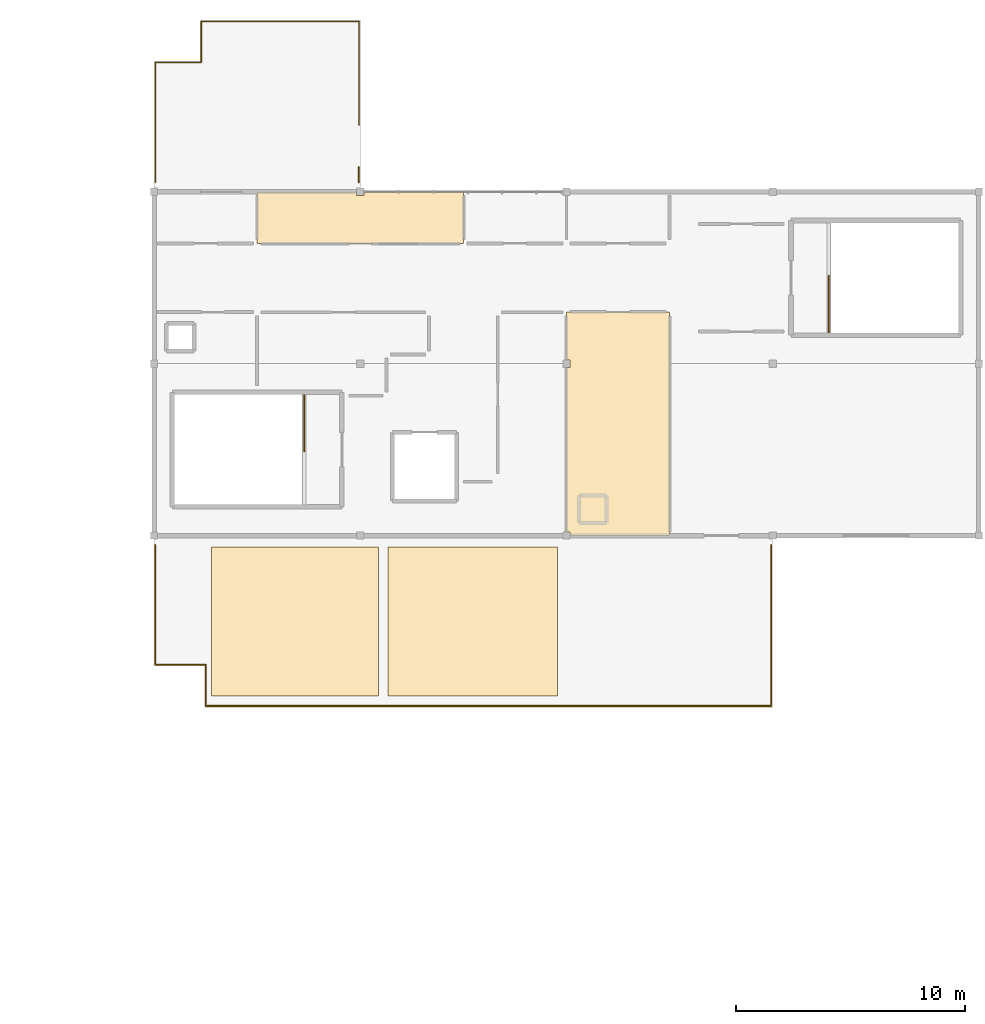
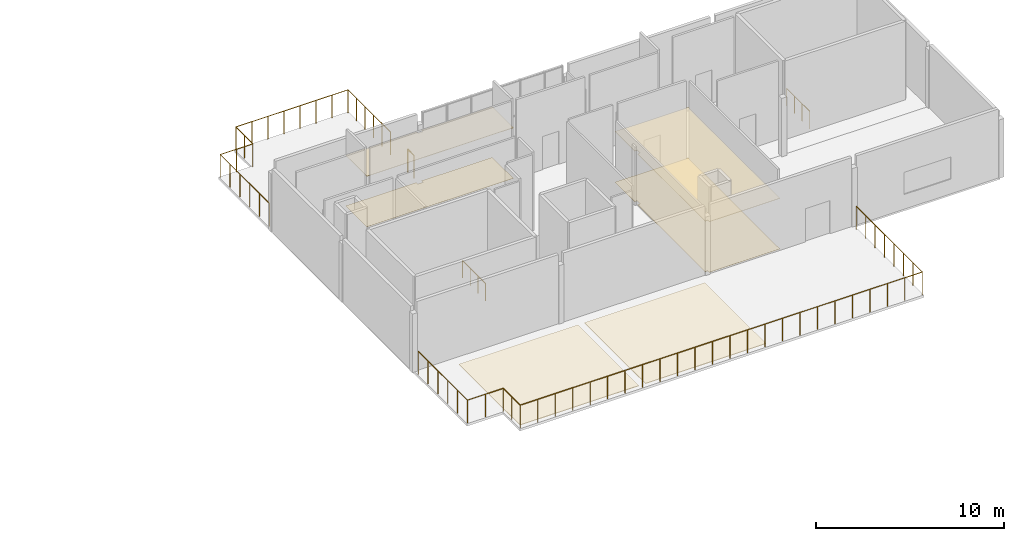
# One storey, part 8 of 8: 6 coverings, 5 railings.
"""IFC4 building model written with IfcOpenShell, lengths in metres."""

from ifc_helpers import new_model, si_unit, direction, frame, origin, origin_2d, place, context, subcontext, project, spatial, polyline, circle, outline, extrude, material, layer, layer_set, type_object, element, save


model = new_model("IFC4")

# Units and contexts
model_context = context("Model", 3, precision=1e-05, world=origin(), true_north=direction((0.0, 1.0)))
body_context = subcontext(model_context, "Body", "Model", "MODEL_VIEW")
ifc_project = project(units=[si_unit("LENGTHUNIT", "METRE"), si_unit("AREAUNIT", "SQUARE_METRE"), si_unit("VOLUMEUNIT", "CUBIC_METRE"), si_unit("PLANEANGLEUNIT", "RADIAN"), si_unit("MASSUNIT", "GRAM", prefix="KILO")], contexts=[model_context])

# Site, building, storey
site_placement = place(None, origin())
site = spatial("IfcSite", under=ifc_project, at=site_placement, CompositionType="ELEMENT")
building_placement = place(site_placement, origin())
building = spatial("IfcBuilding", under=site, at=building_placement, Name="Marnridge Secondary College", CompositionType="ELEMENT")
storey_placement = place(building_placement, frame((0.0, 0.0, 19.89990234375)))
storey = spatial("IfcBuildingStorey", under=building, at=storey_placement, Name="L05", CompositionType="ELEMENT", Elevation=19.89990234375)

# Coverings
ifc_material_1 = material(Name="Perforated acoustic mineral-fibre ceiling tile", Category="gypsum")
ifc_layer_1 = layer(ifc_material_1, 0.02490234375)
ifc_layer_set_1 = layer_set([ifc_layer_1], Name="CV-CEIL-AC")
covering_type_1 = type_object("IfcCoveringType", Name="CV-CEIL-AC", PredefinedType="CEILING", material=ifc_layer_set_1)
covering_1_placement = place(storey_placement, frame((0.0, 0.0, 3.275146484375)))
element("IfcCovering", 1, at=covering_1_placement, inside=storey, type_object=covering_type_1, Name="Acoustic ceiling CVC-009", PredefinedType="CEILING", context=body_context, shape_type="SweptSolid", body=[
    extrude(outline(polyline([(72.157470703125, 52.657470703125), (72.001953125, 52.657470703125), (72.001953125, 59.842529296875), (72.157470703125, 59.842529296875), (72.157470703125, 60.157470703125), (72.001953125, 60.157470703125), (72.001953125, 62.248046875), (76.498046875, 62.248046875), (76.498046875, 52.501953125), (72.157470703125, 52.501953125), (72.157470703125, 52.657470703125)])), origin(), (0.0, 0.0, 1.0), 0.02490234375),
])
covering_2_placement = place(storey_placement, frame((0.0, 0.0, 3.275146484375)))
element("IfcCovering", 2, at=covering_2_placement, inside=storey, type_object=covering_type_1, Name="Acoustic ceiling CVC-010", PredefinedType="CEILING", context=body_context, shape_type="SweptSolid", body=[
    extrude(outline(polyline([(67.498046875, 65.251953125), (58.501953125, 65.251953125), (58.501953125, 67.498046875), (62.842529296875, 67.498046875), (62.842529296875, 67.342529296875), (63.157470703125, 67.342529296875), (63.157470703125, 67.498046875), (67.498046875, 67.498046875), (67.498046875, 65.251953125)])), origin(), (0.0, 0.0, 1.0), 0.02490234375),
])
ifc_material_2 = material(Name="Charred jarrah acoustic soffit cladding", Category="wood")
ifc_layer_2 = layer(ifc_material_2, 0.034912109375)
ifc_layer_set_2 = layer_set([ifc_layer_2], Name="CV-CLAD-TIM")
covering_type_2 = type_object("IfcCoveringType", Name="CV-CLAD-TIM", PredefinedType="CLADDING", material=ifc_layer_set_2)
covering_3_placement = place(storey_placement, frame((0.0, 0.0, -0.19482421875)))
element("IfcCovering", 3, at=covering_3_placement, inside=storey, type_object=covering_type_2, Name="Timber soffit cladding CVL-07", PredefinedType="CLADDING", context=body_context, shape_type="SweptSolid", body=[
    extrude(outline(polyline([(56.5, 45.5), (63.800048828125, 45.5), (63.800048828125, 52.0), (56.5, 52.0), (56.5, 45.5)])), origin(), (0.0, 0.0, 1.0), 0.034912109375),
])
covering_4_placement = place(storey_placement, frame((0.0, 0.0, -0.19482421875)))
element("IfcCovering", 4, at=covering_4_placement, inside=storey, type_object=covering_type_2, Name="Timber soffit cladding CVL-08", PredefinedType="CLADDING", context=body_context, shape_type="SweptSolid", body=[
    extrude(outline(polyline([(64.199951171875, 45.5), (71.60009765625, 45.5), (71.60009765625, 52.0), (64.199951171875, 52.0), (64.199951171875, 45.5)])), origin(), (0.0, 0.0, 1.0), 0.034912109375),
])
ifc_material_3 = material(Name="Acoustic natural linoleum classroom flooring", Category="wood")
ifc_layer_3 = layer(ifc_material_3, 0.011962890625)
ifc_layer_set_3 = layer_set([ifc_layer_3], Name="CV-FLR-LINO")
covering_type_3 = type_object("IfcCoveringType", Name="CV-FLR-LINO", PredefinedType="FLOORING", material=ifc_layer_set_3)
covering_5_placement = place(storey_placement, origin())
element("IfcCovering", 5, at=covering_5_placement, inside=storey, type_object=covering_type_3, Name="Linoleum flooring CVF-009", PredefinedType="FLOORING", context=body_context, shape_type="SweptSolid", body=[
    extrude(outline(polyline([(72.157470703125, 52.657470703125), (72.001953125, 52.657470703125), (72.001953125, 59.842529296875), (72.157470703125, 59.842529296875), (72.157470703125, 60.157470703125), (72.001953125, 60.157470703125), (72.001953125, 62.248046875), (76.498046875, 62.248046875), (76.498046875, 52.501953125), (72.157470703125, 52.501953125), (72.157470703125, 52.657470703125)])), origin(), (0.0, 0.0, 1.0), 0.01220703125),
])
covering_6_placement = place(storey_placement, origin())
element("IfcCovering", 6, at=covering_6_placement, inside=storey, type_object=covering_type_3, Name="Linoleum flooring CVF-010", PredefinedType="FLOORING", context=body_context, shape_type="SweptSolid", body=[
    extrude(outline(polyline([(67.498046875, 65.251953125), (58.501953125, 65.251953125), (58.501953125, 67.498046875), (62.842529296875, 67.498046875), (62.842529296875, 67.342529296875), (63.157470703125, 67.342529296875), (63.157470703125, 67.498046875), (67.498046875, 67.498046875), (67.498046875, 65.251953125)])), origin(), (0.0, 0.0, 1.0), 0.01220703125),
])

# Railings
ifc_material_4 = material(Name="Galvanised steel Grade C350L0 (350 MPa) balustrade", Category="steel")
railing_type_1 = type_object("IfcRailingType", Name="RL-DECK-1500", PredefinedType="BALUSTRADE", material=ifc_material_4)
railing_1_placement = place(storey_placement, frame((80.93994140625, 52.084716796875, 0.0)))
element("IfcRailing", 7, at=railing_1_placement, inside=storey, type_object=railing_type_1, Name="Play deck balustrade GD-017", PredefinedType="BALUSTRADE", context=body_context, shape_type="SweptSolid", body=[
    extrude(circle(Radius=0.02392578125, at=origin_2d()), frame((0.0, 0.0, 1.47607421875), z_axis=(0.0, -1.0, 0.0), x_axis=(1.0, 0.0, 0.0)), (0.0, 0.0, 1.0), 7.024658203125),
    extrude(circle(Radius=0.02392578125, at=origin_2d()), frame((0.0, -7.024658203125, 1.47607421875), z_axis=(-1.0, 0.0, 0.0), x_axis=(0.0, -1.0, 0.0)), (0.0, 0.0, 1.0), 24.679931640625),
    extrude(circle(Radius=0.02392578125, at=origin_2d()), frame((-24.679931640625, -7.024658203125, 1.47607421875), z_axis=(0.0, 1.0, 0.0), x_axis=(-1.0, 0.0, 0.0)), (0.0, 0.0, 1.0), 1.800048828125),
    extrude(circle(Radius=0.02392578125, at=origin_2d()), frame((-24.679931640625, -5.224609375, 1.47607421875), z_axis=(-1.0, 0.0, 0.0), x_axis=(0.0, -1.0, 0.0)), (0.0, 0.0, 1.0), 2.199951171875),
    extrude(circle(Radius=0.02392578125, at=origin_2d()), frame((-26.8798828125, -5.224609375, 1.47607421875), z_axis=(0.0, 1.0, 0.0), x_axis=(-1.0, 0.0, 0.0)), (0.0, 0.0, 1.0), 5.224609375),
    extrude(circle(Radius=0.02099609375, at=origin_2d()), origin(), (0.0, 0.0, 1.0), 1.451904296875),
    extrude(circle(Radius=0.02099609375, at=origin_2d()), frame((0.0, -1.00341796875, 0.0)), (0.0, 0.0, 1.0), 1.451904296875),
    extrude(circle(Radius=0.02099609375, at=origin_2d()), frame((0.0, -2.007080078125, 0.0)), (0.0, 0.0, 1.0), 1.451904296875),
    extrude(circle(Radius=0.02099609375, at=origin_2d()), frame((0.0, -3.010498046875, 0.0)), (0.0, 0.0, 1.0), 1.451904296875),
    extrude(circle(Radius=0.02099609375, at=origin_2d()), frame((0.0, -4.01416015625, 0.0)), (0.0, 0.0, 1.0), 1.451904296875),
    extrude(circle(Radius=0.02099609375, at=origin_2d()), frame((0.0, -5.017578125, 0.0)), (0.0, 0.0, 1.0), 1.451904296875),
    extrude(circle(Radius=0.02099609375, at=origin_2d()), frame((0.0, -6.021240234375, 0.0)), (0.0, 0.0, 1.0), 1.451904296875),
    extrude(circle(Radius=0.02099609375, at=origin_2d()), frame((0.0, -7.024658203125, 0.0)), (0.0, 0.0, 1.0), 1.451904296875),
    extrude(circle(Radius=0.02099609375, at=origin_2d()), frame((-1.072998046875, -7.024658203125, 0.0)), (0.0, 0.0, 1.0), 1.451904296875),
    extrude(circle(Radius=0.02099609375, at=origin_2d()), frame((-2.14599609375, -7.024658203125, 0.0)), (0.0, 0.0, 1.0), 1.451904296875),
    extrude(circle(Radius=0.02099609375, at=origin_2d()), frame((-3.21923828125, -7.024658203125, 0.0)), (0.0, 0.0, 1.0), 1.451904296875),
    extrude(circle(Radius=0.02099609375, at=origin_2d()), frame((-4.292236328125, -7.024658203125, 0.0)), (0.0, 0.0, 1.0), 1.451904296875),
    extrude(circle(Radius=0.02099609375, at=origin_2d()), frame((-5.365234375, -7.024658203125, 0.0)), (0.0, 0.0, 1.0), 1.451904296875),
    extrude(circle(Radius=0.02099609375, at=origin_2d()), frame((-6.438232421875, -7.024658203125, 0.0)), (0.0, 0.0, 1.0), 1.451904296875),
    extrude(circle(Radius=0.02099609375, at=origin_2d()), frame((-7.51123046875, -7.024658203125, 0.0)), (0.0, 0.0, 1.0), 1.451904296875),
    extrude(circle(Radius=0.02099609375, at=origin_2d()), frame((-8.584228515625, -7.024658203125, 0.0)), (0.0, 0.0, 1.0), 1.451904296875),
    extrude(circle(Radius=0.02099609375, at=origin_2d()), frame((-9.657470703125, -7.024658203125, 0.0)), (0.0, 0.0, 1.0), 1.451904296875),
    extrude(circle(Radius=0.02099609375, at=origin_2d()), frame((-10.73046875, -7.024658203125, 0.0)), (0.0, 0.0, 1.0), 1.451904296875),
    extrude(circle(Radius=0.02099609375, at=origin_2d()), frame((-11.803466796875, -7.024658203125, 0.0)), (0.0, 0.0, 1.0), 1.451904296875),
    extrude(circle(Radius=0.02099609375, at=origin_2d()), frame((-12.87646484375, -7.024658203125, 0.0)), (0.0, 0.0, 1.0), 1.451904296875),
    extrude(circle(Radius=0.02099609375, at=origin_2d()), frame((-13.949462890625, -7.024658203125, 0.0)), (0.0, 0.0, 1.0), 1.451904296875),
    extrude(circle(Radius=0.02099609375, at=origin_2d()), frame((-15.0224609375, -7.024658203125, 0.0)), (0.0, 0.0, 1.0), 1.451904296875),
    extrude(circle(Radius=0.02099609375, at=origin_2d()), frame((-16.095703125, -7.024658203125, 0.0)), (0.0, 0.0, 1.0), 1.451904296875),
    extrude(circle(Radius=0.02099609375, at=origin_2d()), frame((-17.168701171875, -7.024658203125, 0.0)), (0.0, 0.0, 1.0), 1.451904296875),
    extrude(circle(Radius=0.02099609375, at=origin_2d()), frame((-18.24169921875, -7.024658203125, 0.0)), (0.0, 0.0, 1.0), 1.451904296875),
    extrude(circle(Radius=0.02099609375, at=origin_2d()), frame((-19.314697265625, -7.024658203125, 0.0)), (0.0, 0.0, 1.0), 1.451904296875),
    extrude(circle(Radius=0.02099609375, at=origin_2d()), frame((-20.3876953125, -7.024658203125, 0.0)), (0.0, 0.0, 1.0), 1.451904296875),
    extrude(circle(Radius=0.02099609375, at=origin_2d()), frame((-21.460693359375, -7.024658203125, 0.0)), (0.0, 0.0, 1.0), 1.451904296875),
    extrude(circle(Radius=0.02099609375, at=origin_2d()), frame((-22.533935546875, -7.024658203125, 0.0)), (0.0, 0.0, 1.0), 1.451904296875),
    extrude(circle(Radius=0.02099609375, at=origin_2d()), frame((-23.60693359375, -7.024658203125, 0.0)), (0.0, 0.0, 1.0), 1.451904296875),
    extrude(circle(Radius=0.02099609375, at=origin_2d()), frame((-24.679931640625, -7.024658203125, 0.0)), (0.0, 0.0, 1.0), 1.451904296875),
    extrude(circle(Radius=0.02099609375, at=origin_2d()), frame((-24.679931640625, -6.12451171875, 0.0)), (0.0, 0.0, 1.0), 1.451904296875),
    extrude(circle(Radius=0.02099609375, at=origin_2d()), frame((-24.679931640625, -5.224609375, 0.0)), (0.0, 0.0, 1.0), 1.451904296875),
    extrude(circle(Radius=0.02099609375, at=origin_2d()), frame((-25.77978515625, -5.224609375, 0.0)), (0.0, 0.0, 1.0), 1.451904296875),
    extrude(circle(Radius=0.02099609375, at=origin_2d()), frame((-26.8798828125, -5.224609375, 0.0)), (0.0, 0.0, 1.0), 1.451904296875),
    extrude(circle(Radius=0.02099609375, at=origin_2d()), frame((-26.8798828125, -4.1796875, 0.0)), (0.0, 0.0, 1.0), 1.451904296875),
    extrude(circle(Radius=0.02099609375, at=origin_2d()), frame((-26.8798828125, -3.134765625, 0.0)), (0.0, 0.0, 1.0), 1.451904296875),
    extrude(circle(Radius=0.02099609375, at=origin_2d()), frame((-26.8798828125, -2.08984375, 0.0)), (0.0, 0.0, 1.0), 1.451904296875),
    extrude(circle(Radius=0.02099609375, at=origin_2d()), frame((-26.8798828125, -1.044921875, 0.0)), (0.0, 0.0, 1.0), 1.451904296875),
    extrude(circle(Radius=0.02099609375, at=origin_2d()), frame((-26.8798828125, 0.0, 0.0)), (0.0, 0.0, 1.0), 1.451904296875),
])
railing_2_placement = place(storey_placement, frame((54.06005859375, 67.915283203125, 0.0)))
element("IfcRailing", 8, at=railing_2_placement, inside=storey, type_object=railing_type_1, Name="Play deck balustrade GD-018", PredefinedType="BALUSTRADE", context=body_context, shape_type="SweptSolid", body=[
    extrude(circle(Radius=0.02392578125, at=origin_2d()), frame((0.0, 0.0, 1.47607421875), z_axis=(0.0, 1.0, 0.0), x_axis=(-1.0, 0.0, 0.0)), (0.0, 0.0, 1.0), 5.224609375),
    extrude(circle(Radius=0.02392578125, at=origin_2d()), frame((0.0, 5.224609375, 1.47607421875), z_axis=(1.0, 0.0, 0.0), x_axis=(0.0, 1.0, 0.0)), (0.0, 0.0, 1.0), 2.0),
    extrude(circle(Radius=0.02392578125, at=origin_2d()), frame((2.0, 5.224609375, 1.47607421875), z_axis=(0.0, 1.0, 0.0), x_axis=(-1.0, 0.0, 0.0)), (0.0, 0.0, 1.0), 1.800048828125),
    extrude(circle(Radius=0.02392578125, at=origin_2d()), frame((2.0, 7.024658203125, 1.47607421875), z_axis=(1.0, 0.0, 0.0), x_axis=(0.0, 1.0, 0.0)), (0.0, 0.0, 1.0), 6.8798828125),
    extrude(circle(Radius=0.02392578125, at=origin_2d()), frame((8.8798828125, 7.024658203125, 1.47607421875), z_axis=(0.0, -1.0, 0.0), x_axis=(1.0, 0.0, 0.0)), (0.0, 0.0, 1.0), 4.52001953125),
    extrude(circle(Radius=0.02099609375, at=origin_2d()), origin(), (0.0, 0.0, 1.0), 1.451904296875),
    extrude(circle(Radius=0.02099609375, at=origin_2d()), frame((0.0, 1.044921875, 0.0)), (0.0, 0.0, 1.0), 1.451904296875),
    extrude(circle(Radius=0.02099609375, at=origin_2d()), frame((0.0, 2.08984375, 0.0)), (0.0, 0.0, 1.0), 1.451904296875),
    extrude(circle(Radius=0.02099609375, at=origin_2d()), frame((0.0, 3.134765625, 0.0)), (0.0, 0.0, 1.0), 1.451904296875),
    extrude(circle(Radius=0.02099609375, at=origin_2d()), frame((0.0, 4.1796875, 0.0)), (0.0, 0.0, 1.0), 1.451904296875),
    extrude(circle(Radius=0.02099609375, at=origin_2d()), frame((0.0, 5.224609375, 0.0)), (0.0, 0.0, 1.0), 1.451904296875),
    extrude(circle(Radius=0.02099609375, at=origin_2d()), frame((1.0, 5.224609375, 0.0)), (0.0, 0.0, 1.0), 1.451904296875),
    extrude(circle(Radius=0.02099609375, at=origin_2d()), frame((2.0, 5.224609375, 0.0)), (0.0, 0.0, 1.0), 1.451904296875),
    extrude(circle(Radius=0.02099609375, at=origin_2d()), frame((2.0, 6.12451171875, 0.0)), (0.0, 0.0, 1.0), 1.451904296875),
    extrude(circle(Radius=0.02099609375, at=origin_2d()), frame((2.0, 7.024658203125, 0.0)), (0.0, 0.0, 1.0), 1.451904296875),
    extrude(circle(Radius=0.02099609375, at=origin_2d()), frame((2.98291015625, 7.024658203125, 0.0)), (0.0, 0.0, 1.0), 1.451904296875),
    extrude(circle(Radius=0.02099609375, at=origin_2d()), frame((3.965576171875, 7.024658203125, 0.0)), (0.0, 0.0, 1.0), 1.451904296875),
    extrude(circle(Radius=0.02099609375, at=origin_2d()), frame((4.948486328125, 7.024658203125, 0.0)), (0.0, 0.0, 1.0), 1.451904296875),
    extrude(circle(Radius=0.02099609375, at=origin_2d()), frame((5.931396484375, 7.024658203125, 0.0)), (0.0, 0.0, 1.0), 1.451904296875),
    extrude(circle(Radius=0.02099609375, at=origin_2d()), frame((6.914306640625, 7.024658203125, 0.0)), (0.0, 0.0, 1.0), 1.451904296875),
    extrude(circle(Radius=0.02099609375, at=origin_2d()), frame((7.89697265625, 7.024658203125, 0.0)), (0.0, 0.0, 1.0), 1.451904296875),
    extrude(circle(Radius=0.02099609375, at=origin_2d()), frame((8.8798828125, 7.024658203125, 0.0)), (0.0, 0.0, 1.0), 1.451904296875),
    extrude(circle(Radius=0.02099609375, at=origin_2d()), frame((8.8798828125, 6.12060546875, 0.0)), (0.0, 0.0, 1.0), 1.451904296875),
    extrude(circle(Radius=0.02099609375, at=origin_2d()), frame((8.8798828125, 5.216552734375, 0.0)), (0.0, 0.0, 1.0), 1.451904296875),
    extrude(circle(Radius=0.02099609375, at=origin_2d()), frame((8.8798828125, 4.312744140625, 0.0)), (0.0, 0.0, 1.0), 1.451904296875),
    extrude(circle(Radius=0.02099609375, at=origin_2d()), frame((8.8798828125, 3.40869140625, 0.0)), (0.0, 0.0, 1.0), 1.451904296875),
    extrude(circle(Radius=0.02099609375, at=origin_2d()), frame((8.8798828125, 2.504638671875, 0.0)), (0.0, 0.0, 1.0), 1.451904296875),
])
railing_3_placement = place(storey_placement, frame((62.93994140625, 68.580078125, 0.0)))
element("IfcRailing", 9, at=railing_3_placement, inside=storey, type_object=railing_type_1, Name="Play deck balustrade GD-019", PredefinedType="BALUSTRADE", context=body_context, shape_type="SweptSolid", body=[
    extrude(circle(Radius=0.02392578125, at=origin_2d()), frame((0.0, 0.0, 1.47607421875), z_axis=(0.0, -1.0, 0.0), x_axis=(1.0, 0.0, 0.0)), (0.0, 0.0, 1.0), 0.664794921875),
    extrude(circle(Radius=0.02099609375, at=origin_2d()), origin(), (0.0, 0.0, 1.0), 1.451904296875),
    extrude(circle(Radius=0.02099609375, at=origin_2d()), frame((0.0, -0.664794921875, 0.0)), (0.0, 0.0, 1.0), 1.451904296875),
])
ifc_material_5 = material(Name="Painted steel Grade C350L0 (350 MPa) stair-well guard", Category="steel")
railing_type_2 = type_object("IfcRailingType", Name="RL-STAIR-1150", PredefinedType="BALUSTRADE", material=ifc_material_5)
railing_4_placement = place(storey_placement, frame((60.550048828125, 58.6298828125, 0.0)))
element("IfcRailing", 10, at=railing_4_placement, inside=storey, type_object=railing_type_2, Name="Stair well arrival guard GS-030", PredefinedType="BALUSTRADE", context=body_context, shape_type="SweptSolid", body=[
    extrude(circle(Radius=0.02392578125, at=origin_2d()), frame((0.0, 0.0, 1.1259765625), z_axis=(0.0, -1.0, 0.0), x_axis=(1.0, 0.0, 0.0)), (0.0, 0.0, 1.0), 2.4599609375),
    extrude(circle(Radius=0.02099609375, at=origin_2d()), origin(), (0.0, 0.0, 1.0), 1.101806640625),
    extrude(circle(Radius=0.02099609375, at=origin_2d()), frame((0.0, -0.820068359375, 0.0)), (0.0, 0.0, 1.0), 1.101806640625),
    extrude(circle(Radius=0.02099609375, at=origin_2d()), frame((0.0, -1.639892578125, 0.0)), (0.0, 0.0, 1.0), 1.101806640625),
    extrude(circle(Radius=0.02099609375, at=origin_2d()), frame((0.0, -2.4599609375, 0.0)), (0.0, 0.0, 1.0), 1.101806640625),
])
railing_5_placement = place(storey_placement, frame((83.449951171875, 61.3701171875, 0.0)))
element("IfcRailing", 11, at=railing_5_placement, inside=storey, type_object=railing_type_2, Name="Stair well arrival guard GS-060", PredefinedType="BALUSTRADE", context=body_context, shape_type="SweptSolid", body=[
    extrude(circle(Radius=0.02392578125, at=origin_2d()), frame((0.0, 0.0, 1.1259765625), z_axis=(0.0, 1.0, 0.0), x_axis=(-1.0, 0.0, 0.0)), (0.0, 0.0, 1.0), 2.4599609375),
    extrude(circle(Radius=0.02099609375, at=origin_2d()), origin(), (0.0, 0.0, 1.0), 1.101806640625),
    extrude(circle(Radius=0.02099609375, at=origin_2d()), frame((0.0, 0.820068359375, 0.0)), (0.0, 0.0, 1.0), 1.101806640625),
    extrude(circle(Radius=0.02099609375, at=origin_2d()), frame((0.0, 1.639892578125, 0.0)), (0.0, 0.0, 1.0), 1.101806640625),
    extrude(circle(Radius=0.02099609375, at=origin_2d()), frame((0.0, 2.4599609375, 0.0)), (0.0, 0.0, 1.0), 1.101806640625),
])

save(model, "model.ifc")
